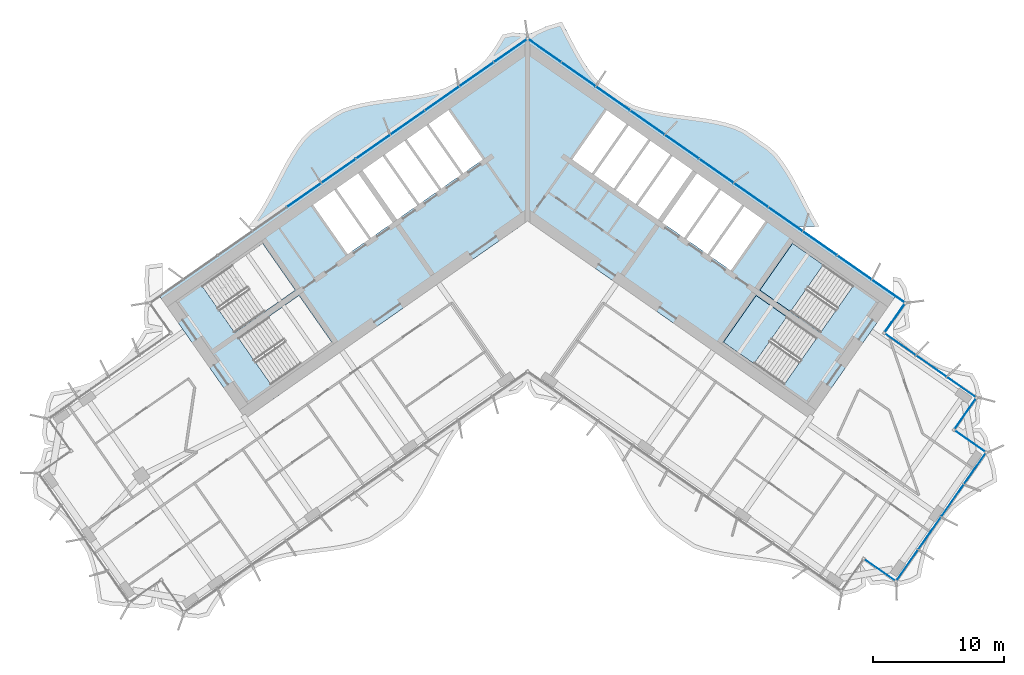
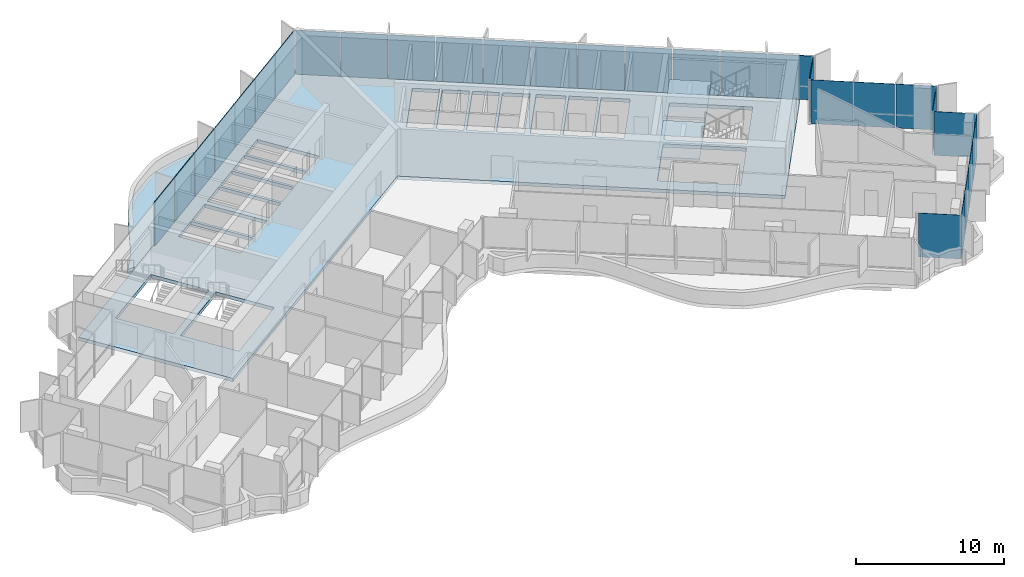
# One storey, part 13 of 23: 29 plates, 4 slabs, 4 elements without a shape of their own.
"""IFC4 building model written with IfcOpenShell, lengths in metres."""

from ifc_helpers import new_model, si_unit, direction, frame, origin, origin_2d, place, context, subcontext, project, spatial, polyline, rectangle, outline, extrude, material, layer, layer_set, type_object, element, aggregate, save


model = new_model("IFC4")

# Units and contexts
model_context = context("Model", 3, precision=1e-05, world=origin(), true_north=direction((0.0, 1.0)))
body_context = subcontext(model_context, "Body", "Model", "MODEL_VIEW")
ifc_project = project(units=[si_unit("LENGTHUNIT", "METRE"), si_unit("AREAUNIT", "SQUARE_METRE"), si_unit("VOLUMEUNIT", "CUBIC_METRE"), si_unit("PLANEANGLEUNIT", "RADIAN"), si_unit("MASSUNIT", "GRAM", prefix="KILO")], contexts=[model_context])

# Site, building, storey
site_placement = place(None, origin())
site = spatial("IfcSite", under=ifc_project, at=site_placement, CompositionType="ELEMENT")
building_placement = place(site_placement, origin())
building = spatial("IfcBuilding", under=site, at=building_placement, Name="Tel Ilan Convention Tower", CompositionType="ELEMENT")
storey_placement = place(building_placement, frame((0.0, 0.0, 194.39990234375)))
storey = spatial("IfcBuildingStorey", under=building, at=storey_placement, Name="L45", CompositionType="ELEMENT", Elevation=194.39990234375)

# Curtain wall, plates
ifc_material_1 = material(Name="Aluminium, bronze anodised", Category="aluminium")
curtain_wall_type_1 = type_object("IfcCurtainWallType", Name="CW4 STICK CURTAIN WALL, OFFICE TINTED GLASS", PredefinedType="NOTDEFINED", material=ifc_material_1)
curtain_wall_1_placement = place(storey_placement, origin())
curtain_wall_1 = element("IfcCurtainWall", 1, at=curtain_wall_1_placement, inside=storey, type_object=curtain_wall_type_1, Name="Curtain wall CW4-35.02", PredefinedType="NOTDEFINED")
ifc_material_2 = material(Name="Glass, bronze tinted, two-ply", Category="glass")
ifc_layer_1 = layer(ifc_material_2, 0.028076171875)
ifc_layer_set_1 = layer_set([ifc_layer_1], Name="CW GLASS PANEL 28")
plate_type_1 = type_object("IfcPlateType", Name="CW GLASS PANEL 28", PredefinedType="CURTAIN_PANEL", material=ifc_layer_set_1)
plate_1_placement = place(storey_placement, frame((26.914794921875, -27.879638671875, 0.0), z_axis=(0.0, 0.0, 1.0), x_axis=(0.819152044289, -0.573576436351, 0.0)))
plate_1 = element("IfcPlate", 2, at=plate_1_placement, type_object=plate_type_1, Name="Glass panel", PredefinedType="CURTAIN_PANEL", context=body_context, shape_type="SweptSolid", body=[
    extrude(rectangle(XDim=2.875, YDim=0.028076171875, at=origin_2d()), origin(), (0.0, 0.0, 1.0), 3.6201171875),
])
plate_2_placement = place(storey_placement, frame((28.956298828125, -27.51220703125, 0.0), z_axis=(0.0, 0.0, 1.0), x_axis=(0.573576436351, 0.819152044289, 0.0)))
plate_2 = element("IfcPlate", 3, at=plate_2_placement, type_object=plate_type_1, Name="Glass panel", PredefinedType="CURTAIN_PANEL", context=body_context, shape_type="SweptSolid", body=[
    extrude(rectangle(XDim=2.89599609375, YDim=0.028076171875, at=origin_2d()), origin(), (0.0, 0.0, 1.0), 3.6201171875),
])
plate_3_placement = place(storey_placement, frame((30.6787109375, -25.05224609375, 0.0), z_axis=(0.0, 0.0, 1.0), x_axis=(0.573576436351, 0.819152044289, 0.0)))
plate_3 = element("IfcPlate", 4, at=plate_3_placement, type_object=plate_type_1, Name="Glass panel", PredefinedType="CURTAIN_PANEL", context=body_context, shape_type="SweptSolid", body=[
    extrude(rectangle(XDim=2.989990234375, YDim=0.028076171875, at=origin_2d()), origin(), (0.0, 0.0, 1.0), 3.6201171875),
])
plate_4_placement = place(storey_placement, frame((32.42822265625, -22.553955078125, 0.0), z_axis=(0.0, 0.0, 1.0), x_axis=(0.573576436351, 0.819152044289, 0.0)))
plate_4 = element("IfcPlate", 5, at=plate_4_placement, type_object=plate_type_1, Name="Glass panel", PredefinedType="CURTAIN_PANEL", context=body_context, shape_type="SweptSolid", body=[
    extrude(rectangle(XDim=2.989990234375, YDim=0.028076171875, at=origin_2d()), origin(), (0.0, 0.0, 1.0), 3.6201171875),
])
plate_5_placement = place(storey_placement, frame((34.150634765625, -20.093994140625, 0.0), z_axis=(0.0, 0.0, 1.0), x_axis=(0.573576436351, 0.819152044289, 0.0)))
plate_5 = element("IfcPlate", 6, at=plate_5_placement, type_object=plate_type_1, Name="Glass panel", PredefinedType="CURTAIN_PANEL", context=body_context, shape_type="SweptSolid", body=[
    extrude(rectangle(XDim=2.89599609375, YDim=0.028076171875, at=origin_2d()), origin(), (0.0, 0.0, 1.0), 3.6201171875),
])
plate_6_placement = place(storey_placement, frame((33.7978515625, -18.0498046875, 0.0), z_axis=(0.0, 0.0, 1.0), x_axis=(-0.819152044289, 0.573576436351, 0.0)))
plate_6 = element("IfcPlate", 7, at=plate_6_placement, type_object=plate_type_1, Name="Glass panel", PredefinedType="CURTAIN_PANEL", context=body_context, shape_type="SweptSolid", body=[
    extrude(rectangle(XDim=2.875, YDim=0.028076171875, at=origin_2d()), origin(), (0.0, 0.0, 1.0), 3.6201171875),
])
plate_7_placement = place(storey_placement, frame((33.419921875, -15.9072265625, 0.0), z_axis=(0.0, 0.0, 1.0), x_axis=(0.573576436351, 0.819152044289, 0.0)))
plate_7 = element("IfcPlate", 8, at=plate_7_placement, type_object=plate_type_1, Name="Glass panel", PredefinedType="CURTAIN_PANEL", context=body_context, shape_type="SweptSolid", body=[
    extrude(rectangle(XDim=2.875, YDim=0.028076171875, at=origin_2d()), origin(), (0.0, 0.0, 1.0), 3.6201171875),
])
plate_8_placement = place(storey_placement, frame((33.12744140625, -13.918212890625, 0.0), z_axis=(0.0, 0.0, 1.0), x_axis=(-0.819152044289, 0.573576436351, 0.0)))
plate_8 = element("IfcPlate", 9, at=plate_8_placement, type_object=plate_type_1, Name="Glass panel", PredefinedType="CURTAIN_PANEL", context=body_context, shape_type="SweptSolid", body=[
    extrude(rectangle(XDim=2.712646484375, YDim=0.028076171875, at=origin_2d()), origin(), (0.0, 0.0, 1.0), 3.6201171875),
])
plate_9_placement = place(storey_placement, frame((30.81787109375, -12.301025390625, 0.0), z_axis=(0.0, 0.0, 1.0), x_axis=(-0.819152044289, 0.573576436351, 0.0)))
plate_9 = element("IfcPlate", 10, at=plate_9_placement, type_object=plate_type_1, Name="Glass panel", PredefinedType="CURTAIN_PANEL", context=body_context, shape_type="SweptSolid", body=[
    extrude(rectangle(XDim=2.806640625, YDim=0.028076171875, at=origin_2d()), origin(), (0.0, 0.0, 1.0), 3.6201171875),
])
plate_10_placement = place(storey_placement, frame((28.457763671875, -10.6484375, 0.0), z_axis=(0.0, 0.0, 1.0), x_axis=(-0.819152044289, 0.573576436351, 0.0)))
plate_10 = element("IfcPlate", 11, at=plate_10_placement, type_object=plate_type_1, Name="Glass panel", PredefinedType="CURTAIN_PANEL", context=body_context, shape_type="SweptSolid", body=[
    extrude(rectangle(XDim=2.835693359375, YDim=0.028076171875, at=origin_2d()), origin(), (0.0, 0.0, 1.0), 3.6201171875),
])
aggregate(curtain_wall_1, [plate_1, plate_2, plate_3, plate_4, plate_5, plate_6, plate_7, plate_8, plate_9, plate_10])

ifc_material_3 = material(Name="Aluminium, bronze anodised", Category="aluminium")
curtain_wall_type_2 = type_object("IfcCurtainWallType", Name="CW2 STICK CURTAIN WALL, SPANDREL PANELS", PredefinedType="NOTDEFINED", material=ifc_material_3)
curtain_wall_2_placement = place(storey_placement, origin())
curtain_wall_2 = element("IfcCurtainWall", 12, at=curtain_wall_2_placement, inside=storey, type_object=curtain_wall_type_2, Name="Curtain wall CW2-35.01", PredefinedType="NOTDEFINED")
ifc_material_4 = material(Name="Aluminium composite panel, bronze anodised", Category="aluminium")
ifc_layer_2 = layer(ifc_material_4, 0.06005859375)
ifc_layer_set_2 = layer_set([ifc_layer_2], Name="CW SPANDREL PANEL 60")
plate_type_2 = type_object("IfcPlateType", Name="CW SPANDREL PANEL 60", PredefinedType="CURTAIN_PANEL", material=ifc_layer_set_2)
plate_11_placement = place(storey_placement, frame((28.033935546875, -8.60546875, 0.0), z_axis=(0.0, 0.0, 1.0), x_axis=(0.573576436351, 0.819152044289, 0.0)))
plate_11 = element("IfcPlate", 13, at=plate_11_placement, type_object=plate_type_2, Name="Spandrel panel", PredefinedType="CURTAIN_PANEL", context=body_context, shape_type="SweptSolid", body=[
    extrude(rectangle(XDim=2.658935546875, YDim=0.06005859375, at=origin_2d()), origin(), (0.0, 0.0, 1.0), 3.6201171875),
])
plate_12_placement = place(storey_placement, frame((27.5400390625, -6.587646484375, 0.0), z_axis=(0.0, 0.0, 1.0), x_axis=(-0.819152044289, 0.573576436351, 0.0)))
plate_12 = element("IfcPlate", 14, at=plate_12_placement, type_object=plate_type_2, Name="Spandrel panel", PredefinedType="CURTAIN_PANEL", context=body_context, shape_type="SweptSolid", body=[
    extrude(rectangle(XDim=3.0439453125, YDim=0.06005859375, at=origin_2d()), origin(), (0.0, 0.0, 1.0), 3.6201171875),
])
plate_13_placement = place(storey_placement, frame((24.95263671875, -4.77587890625, 0.0), z_axis=(0.0, 0.0, 1.0), x_axis=(-0.819152044289, 0.573576436351, 0.0)))
plate_13 = element("IfcPlate", 15, at=plate_13_placement, type_object=plate_type_2, Name="Spandrel panel", PredefinedType="CURTAIN_PANEL", context=body_context, shape_type="SweptSolid", body=[
    extrude(rectangle(XDim=3.15380859375, YDim=0.06005859375, at=origin_2d()), origin(), (0.0, 0.0, 1.0), 3.6201171875),
])
plate_14_placement = place(storey_placement, frame((22.31982421875, -2.9326171875, 0.0), z_axis=(0.0, 0.0, 1.0), x_axis=(-0.819152044289, 0.573576436351, 0.0)))
plate_14 = element("IfcPlate", 16, at=plate_14_placement, type_object=plate_type_2, Name="Spandrel panel", PredefinedType="CURTAIN_PANEL", context=body_context, shape_type="SweptSolid", body=[
    extrude(rectangle(XDim=3.15380859375, YDim=0.06005859375, at=origin_2d()), origin(), (0.0, 0.0, 1.0), 3.6201171875),
])
plate_15_placement = place(storey_placement, frame((19.687255859375, -1.089111328125, 0.0), z_axis=(0.0, 0.0, 1.0), x_axis=(-0.819152044289, 0.573576436351, 0.0)))
plate_15 = element("IfcPlate", 17, at=plate_15_placement, type_object=plate_type_2, Name="Spandrel panel", PredefinedType="CURTAIN_PANEL", context=body_context, shape_type="SweptSolid", body=[
    extrude(rectangle(XDim=3.15380859375, YDim=0.06005859375, at=origin_2d()), origin(), (0.0, 0.0, 1.0), 3.6201171875),
])
plate_16_placement = place(storey_placement, frame((17.0546875, 0.754150390625, 0.0), z_axis=(0.0, 0.0, 1.0), x_axis=(-0.819152044289, 0.573576436351, 0.0)))
plate_16 = element("IfcPlate", 18, at=plate_16_placement, type_object=plate_type_2, Name="Spandrel panel", PredefinedType="CURTAIN_PANEL", context=body_context, shape_type="SweptSolid", body=[
    extrude(rectangle(XDim=3.15380859375, YDim=0.06005859375, at=origin_2d()), origin(), (0.0, 0.0, 1.0), 3.6201171875),
])
plate_17_placement = place(storey_placement, frame((14.422119140625, 2.59765625, 0.0), z_axis=(0.0, 0.0, 1.0), x_axis=(-0.819152044289, 0.573576436351, 0.0)))
plate_17 = element("IfcPlate", 19, at=plate_17_placement, type_object=plate_type_2, Name="Spandrel panel", PredefinedType="CURTAIN_PANEL", context=body_context, shape_type="SweptSolid", body=[
    extrude(rectangle(XDim=3.15380859375, YDim=0.06005859375, at=origin_2d()), origin(), (0.0, 0.0, 1.0), 3.6201171875),
])
plate_18_placement = place(storey_placement, frame((11.789306640625, 4.44091796875, 0.0), z_axis=(0.0, 0.0, 1.0), x_axis=(-0.819152044289, 0.573576436351, 0.0)))
plate_18 = element("IfcPlate", 20, at=plate_18_placement, type_object=plate_type_2, Name="Spandrel panel", PredefinedType="CURTAIN_PANEL", context=body_context, shape_type="SweptSolid", body=[
    extrude(rectangle(XDim=3.15380859375, YDim=0.06005859375, at=origin_2d()), origin(), (0.0, 0.0, 1.0), 3.6201171875),
])
plate_19_placement = place(storey_placement, frame((9.15673828125, 6.284423828125, 0.0), z_axis=(0.0, 0.0, 1.0), x_axis=(-0.819152044289, 0.573576436351, 0.0)))
plate_19 = element("IfcPlate", 21, at=plate_19_placement, type_object=plate_type_2, Name="Spandrel panel", PredefinedType="CURTAIN_PANEL", context=body_context, shape_type="SweptSolid", body=[
    extrude(rectangle(XDim=3.15380859375, YDim=0.06005859375, at=origin_2d()), origin(), (0.0, 0.0, 1.0), 3.6201171875),
])
plate_20_placement = place(storey_placement, frame((6.524169921875, 8.127685546875, 0.0), z_axis=(0.0, 0.0, 1.0), x_axis=(-0.819152044289, 0.573576436351, 0.0)))
plate_20 = element("IfcPlate", 22, at=plate_20_placement, type_object=plate_type_2, Name="Spandrel panel", PredefinedType="CURTAIN_PANEL", context=body_context, shape_type="SweptSolid", body=[
    extrude(rectangle(XDim=3.15380859375, YDim=0.06005859375, at=origin_2d()), origin(), (0.0, 0.0, 1.0), 3.6201171875),
])
plate_21_placement = place(storey_placement, frame((3.8916015625, 9.97119140625, 0.0), z_axis=(0.0, 0.0, 1.0), x_axis=(-0.819152044289, 0.573576436351, 0.0)))
plate_21 = element("IfcPlate", 23, at=plate_21_placement, type_object=plate_type_2, Name="Spandrel panel", PredefinedType="CURTAIN_PANEL", context=body_context, shape_type="SweptSolid", body=[
    extrude(rectangle(XDim=3.15380859375, YDim=0.06005859375, at=origin_2d()), origin(), (0.0, 0.0, 1.0), 3.6201171875),
])
plate_22_placement = place(storey_placement, frame((1.303955078125, 11.782958984375, 0.0), z_axis=(0.0, 0.0, 1.0), x_axis=(-0.819152044289, 0.573576436351, 0.0)))
plate_22 = element("IfcPlate", 24, at=plate_22_placement, type_object=plate_type_2, Name="Spandrel panel", PredefinedType="CURTAIN_PANEL", context=body_context, shape_type="SweptSolid", body=[
    extrude(rectangle(XDim=3.0439453125, YDim=0.06005859375, at=origin_2d()), origin(), (0.0, 0.0, 1.0), 3.6201171875),
])
plate_23_placement = place(storey_placement, frame((-1.303955078125, 11.782958984375, 0.0), z_axis=(0.0, 0.0, 1.0), x_axis=(-0.819152044289, -0.573576436351, 0.0)))
plate_23 = element("IfcPlate", 25, at=plate_23_placement, type_object=plate_type_2, Name="Spandrel panel", PredefinedType="CURTAIN_PANEL", context=body_context, shape_type="SweptSolid", body=[
    extrude(rectangle(XDim=3.0439453125, YDim=0.06005859375, at=origin_2d()), origin(), (0.0, 0.0, 1.0), 3.6201171875),
])
plate_24_placement = place(storey_placement, frame((-3.8916015625, 9.97119140625, 0.0), z_axis=(0.0, 0.0, 1.0), x_axis=(-0.819152044289, -0.573576436351, 0.0)))
plate_24 = element("IfcPlate", 26, at=plate_24_placement, type_object=plate_type_2, Name="Spandrel panel", PredefinedType="CURTAIN_PANEL", context=body_context, shape_type="SweptSolid", body=[
    extrude(rectangle(XDim=3.15380859375, YDim=0.06005859375, at=origin_2d()), origin(), (0.0, 0.0, 1.0), 3.6201171875),
])
plate_25_placement = place(storey_placement, frame((-6.524169921875, 8.127685546875, 0.0), z_axis=(0.0, 0.0, 1.0), x_axis=(-0.819152044289, -0.573576436351, 0.0)))
plate_25 = element("IfcPlate", 27, at=plate_25_placement, type_object=plate_type_2, Name="Spandrel panel", PredefinedType="CURTAIN_PANEL", context=body_context, shape_type="SweptSolid", body=[
    extrude(rectangle(XDim=3.15380859375, YDim=0.06005859375, at=origin_2d()), origin(), (0.0, 0.0, 1.0), 3.6201171875),
])
plate_26_placement = place(storey_placement, frame((-9.15673828125, 6.284423828125, 0.0), z_axis=(0.0, 0.0, 1.0), x_axis=(-0.819152044289, -0.573576436351, 0.0)))
plate_26 = element("IfcPlate", 28, at=plate_26_placement, type_object=plate_type_2, Name="Spandrel panel", PredefinedType="CURTAIN_PANEL", context=body_context, shape_type="SweptSolid", body=[
    extrude(rectangle(XDim=3.15380859375, YDim=0.06005859375, at=origin_2d()), origin(), (0.0, 0.0, 1.0), 3.6201171875),
])
plate_27_placement = place(storey_placement, frame((-11.789306640625, 4.44091796875, 0.0), z_axis=(0.0, 0.0, 1.0), x_axis=(-0.819152044289, -0.573576436351, 0.0)))
plate_27 = element("IfcPlate", 29, at=plate_27_placement, type_object=plate_type_2, Name="Spandrel panel", PredefinedType="CURTAIN_PANEL", context=body_context, shape_type="SweptSolid", body=[
    extrude(rectangle(XDim=3.15380859375, YDim=0.06005859375, at=origin_2d()), origin(), (0.0, 0.0, 1.0), 3.6201171875),
])
plate_28_placement = place(storey_placement, frame((-14.422119140625, 2.59765625, 0.0), z_axis=(0.0, 0.0, 1.0), x_axis=(-0.819152044289, -0.573576436351, 0.0)))
plate_28 = element("IfcPlate", 30, at=plate_28_placement, type_object=plate_type_2, Name="Spandrel panel", PredefinedType="CURTAIN_PANEL", context=body_context, shape_type="SweptSolid", body=[
    extrude(rectangle(XDim=3.15380859375, YDim=0.06005859375, at=origin_2d()), origin(), (0.0, 0.0, 1.0), 3.6201171875),
])
plate_29_placement = place(storey_placement, frame((-17.0546875, 0.754150390625, 0.0), z_axis=(0.0, 0.0, 1.0), x_axis=(-0.819152044289, -0.573576436351, 0.0)))
plate_29 = element("IfcPlate", 31, at=plate_29_placement, type_object=plate_type_2, Name="Spandrel panel", PredefinedType="CURTAIN_PANEL", context=body_context, shape_type="SweptSolid", body=[
    extrude(rectangle(XDim=3.15380859375, YDim=0.06005859375, at=origin_2d()), origin(), (0.0, 0.0, 1.0), 3.6201171875),
])
aggregate(curtain_wall_2, [plate_11, plate_12, plate_13, plate_14, plate_15, plate_16, plate_17, plate_18, plate_19, plate_20, plate_21, plate_22, plate_23, plate_24, plate_25, plate_26, plate_27, plate_28, plate_29])

# Stair, slab
ifc_material_5 = material(Name="Concrete C40/50", Category="concrete")
stair_type = type_object("IfcStairType", Name="Pressurised Exit Stair 22 risers 177 mm", PredefinedType="HALF_TURN_STAIR", material=ifc_material_5)
stair_1_placement = place(storey_placement, origin())
stair_1 = element("IfcStair", 32, at=stair_1_placement, inside=storey, type_object=stair_type, Name="L45 Pressurised Stair S3", PredefinedType="HALF_TURN_STAIR")
ifc_material_6 = material(Name="Concrete C40/50", Category="concrete")
ifc_layer_3 = layer(ifc_material_6, 0.199951171875)
ifc_layer_set_3 = layer_set([ifc_layer_3], Name="Concrete Stair Landing 200 mm C40/50")
slab_type_1 = type_object("IfcSlabType", Name="Concrete Stair Landing 200 mm", PredefinedType="LANDING", material=ifc_layer_set_3)
slab_1_placement = place(storey_placement, frame((0.0, 0.0, 1.75)))
slab_1 = element("IfcSlab", 33, at=slab_1_placement, type_object=slab_type_1, Name="S3 landing 1", PredefinedType="LANDING", context=body_context, shape_type="SweptSolid", body=[
    extrude(outline(polyline([(22.561767578125, -4.566650390625), (20.226318359375, -2.931640625), (17.7314453125, -6.494873046875), (20.066650390625, -8.130126953125), (22.561767578125, -4.566650390625)])), origin(), (0.0, 0.0, 1.0), 0.2001953125),
])
aggregate(stair_1, [slab_1])

stair_2_placement = place(storey_placement, origin())
stair_2 = element("IfcStair", 34, at=stair_2_placement, inside=storey, type_object=stair_type, Name="L45 Pressurised Stair S4", PredefinedType="HALF_TURN_STAIR")
slab_2_placement = place(storey_placement, frame((0.0, 0.0, 1.75)))
slab_2 = element("IfcSlab", 35, at=slab_2_placement, type_object=slab_type_1, Name="S4 landing 1", PredefinedType="LANDING", context=body_context, shape_type="SweptSolid", body=[
    extrude(outline(polyline([(19.77978515625, -8.53955078125), (17.444580078125, -6.904541015625), (14.949462890625, -10.4677734375), (17.28466796875, -12.10302734375), (19.77978515625, -8.53955078125)])), origin(), (0.0, 0.0, 1.0), 0.2001953125),
])
aggregate(stair_2, [slab_2])

# Slabs
ifc_material_7 = material(Name="Concrete C40/50", Category="concrete")
ifc_layer_4 = layer(ifc_material_7, 0.280029296875)
ifc_layer_set_4 = layer_set([ifc_layer_4], Name="Core Floor Slab 280 mm C40/50")
slab_type_2 = type_object("IfcSlabType", Name="Core Floor Slab 280 mm C40/50", PredefinedType="FLOOR", material=ifc_layer_set_4)
slab_3_placement = place(storey_placement, frame((0.0, 0.0, -0.27978515625)))
element("IfcSlab", 36, at=slab_3_placement, inside=storey, type_object=slab_type_2, Name="L45 core floor 1", PredefinedType="FLOOR", context=body_context, shape_type="SweptSolid", body=[
    extrude(outline(polyline([(0.0, 12.818115234375), (28.1396484375, -6.885498046875), (21.54345703125, -16.3056640625), (0.0, -1.220703125), (-21.54345703125, -16.3056640625), (-28.1396484375, -6.885498046875), (-13.013916015625, 3.705810546875), (-6.48876953125, 8.274658203125), (-4.6650390625, 9.5517578125), (-0.2412109375, 12.6494140625), (0.0, 12.818115234375)]), holes=[polyline([(-14.949462890625, -10.4677734375), (-17.444580078125, -6.904541015625), (-22.072021484375, -10.144775390625), (-19.5771484375, -13.7080078125), (-14.949462890625, -10.4677734375)]), polyline([(-17.7314453125, -6.494873046875), (-20.226318359375, -2.931640625), (-24.85400390625, -6.171875), (-22.35888671875, -9.735107421875), (-17.7314453125, -6.494873046875)]), polyline([(-14.75048828125, 1.14697265625), (-16.368408203125, 0.01416015625), (-13.729736328125, -3.75390625), (-12.112060546875, -2.62109375), (-14.75048828125, 1.14697265625)]), polyline([(-12.927734375, 2.423095703125), (-14.586669921875, 1.26171875), (-11.947998046875, -2.506591796875), (-10.289306640625, -1.344970703125), (-12.927734375, 2.423095703125)]), polyline([(-11.053955078125, 3.735107421875), (-12.60009765625, 2.652587890625), (-9.961669921875, -1.115478515625), (-8.41552734375, -0.032958984375), (-11.053955078125, 3.735107421875)]), polyline([(-9.385009765625, 4.90380859375), (-10.89013671875, 3.849853515625), (-8.251708984375, 0.081787109375), (-6.74658203125, 1.1357421875), (-9.385009765625, 4.90380859375)]), polyline([(-7.716064453125, 6.072509765625), (-9.22119140625, 5.0185546875), (-6.582763671875, 1.25048828125), (-5.077392578125, 2.304443359375), (-7.716064453125, 6.072509765625)]), polyline([(-6.046875, 7.2412109375), (-7.552001953125, 6.187255859375), (-4.913818359375, 2.419189453125), (-3.408447265625, 3.47314453125), (-6.046875, 7.2412109375)]), polyline([(4.913818359375, 2.419189453125), (7.552001953125, 6.187255859375), (6.046875, 7.2412109375), (3.408447265625, 3.47314453125), (4.913818359375, 2.419189453125)]), polyline([(17.444580078125, -6.904541015625), (14.949462890625, -10.4677734375), (19.5771484375, -13.7080078125), (22.072021484375, -10.144775390625), (17.444580078125, -6.904541015625)]), polyline([(20.226318359375, -2.931640625), (17.7314453125, -6.494873046875), (22.35888671875, -9.735107421875), (24.85400390625, -6.171875), (20.226318359375, -2.931640625)]), polyline([(15.511474609375, -5.00146484375), (18.14990234375, -1.2333984375), (16.531982421875, -0.1005859375), (13.8935546875, -3.86865234375), (15.511474609375, -5.00146484375)]), polyline([(13.729736328125, -3.75390625), (16.368408203125, 0.01416015625), (14.75048828125, 1.14697265625), (12.112060546875, -2.62109375), (13.729736328125, -3.75390625)]), polyline([(11.947998046875, -2.506591796875), (14.586669921875, 1.26171875), (12.927734375, 2.423095703125), (10.289306640625, -1.344970703125), (11.947998046875, -2.506591796875)]), polyline([(9.961669921875, -1.115478515625), (12.60009765625, 2.652587890625), (11.053955078125, 3.735107421875), (8.41552734375, -0.032958984375), (9.961669921875, -1.115478515625)]), polyline([(6.74658203125, 1.1357421875), (8.251708984375, 0.081787109375), (10.89013671875, 3.849853515625), (9.385009765625, 4.90380859375), (6.74658203125, 1.1357421875)]), polyline([(5.077392578125, 2.304443359375), (6.582763671875, 1.25048828125), (9.22119140625, 5.0185546875), (7.716064453125, 6.072509765625), (5.077392578125, 2.304443359375)])]), origin(), (0.0, 0.0, 1.0), 0.27978515625),
])
ifc_material_8 = material(Name="Concrete C40/50", Category="concrete")
ifc_layer_5 = layer(ifc_material_8, 0.280029296875)
ifc_layer_set_5 = layer_set([ifc_layer_5], Name="Edge Ledge Slab 280 mm C40/50")
slab_type_3 = type_object("IfcSlabType", Name="Edge Ledge Slab 280 mm C40/50", PredefinedType="FLOOR", material=ifc_layer_set_5)
slab_4_placement = place(storey_placement, frame((0.0, 0.0, -0.27978515625)))
element("IfcSlab", 37, at=slab_4_placement, inside=storey, type_object=slab_type_3, Name="L45 edge ledge 2", PredefinedType="FLOOR", context=body_context, shape_type="SweptSolid", body=[
    extrude(outline(polyline([(-19.60009765625, 1.004150390625), (-19.217529296875, 1.741943359375), (-18.83642578125, 2.481689453125), (-18.44677734375, 3.209228515625), (-18.0390625, 3.910888671875), (-17.604736328125, 4.574951171875), (-17.13671875, 5.190185546875), (-16.6015625, 5.71044921875), (-14.791748046875, 6.977783203125), (-14.1416015625, 7.33349609375), (-13.41064453125, 7.573486328125), (-12.644287109375, 7.76318359375), (-11.849853515625, 7.91259765625), (-11.03564453125, 8.033935546875), (-10.211181640625, 8.140380859375), (-9.385986328125, 8.24609375), (-8.570068359375, 8.36474609375), (-7.7724609375, 8.509765625), (-7.002197265625, 8.693603515625), (-6.26611328125, 8.926513671875), (-5.601806640625, 9.261962890625), (-3.7919921875, 10.529296875), (-3.2421875, 11.0283203125), (-2.769287109375, 11.63671875), (-2.3310546875, 12.294921875), (-1.919921875, 12.991943359375), (-1.14208984375, 13.1650390625), (-0.172119140625, 13.06396484375), (-0.168701171875, 13.05908203125), (-0.11474609375, 13.09521484375), (0.0, 13.1181640625), (0.11474609375, 13.09521484375), (0.168701171875, 13.05908203125), (0.172119140625, 13.06396484375), (1.4794921875, 13.647216796875), (2.6162109375, 13.986328125), (3.000244140625, 13.250732421875), (3.38134765625, 12.510986328125), (3.770263671875, 11.7822265625), (4.176513671875, 11.078369140625), (4.608642578125, 10.41162109375), (5.074462890625, 9.792724609375), (5.601806640625, 9.261962890625), (7.411865234375, 7.99462890625), (8.054931640625, 7.62890625), (8.783447265625, 7.385498046875), (9.547607421875, 7.19287109375), (10.340576171875, 7.041015625), (11.15380859375, 6.91845703125), (11.977783203125, 6.811279296875), (12.80322265625, 6.7060546875), (13.6201171875, 6.588623046875), (14.419189453125, 6.44580078125), (15.191650390625, 6.2646484375), (15.929931640625, 6.03515625), (16.6015625, 5.71044921875), (18.41162109375, 4.443115234375), (18.96826171875, 3.9541015625), (19.44384765625, 3.34912109375), (19.884033203125, 2.69384765625), (20.296142578125, 1.998291015625), (20.688720703125, 1.27490234375), (21.07080078125, 0.53662109375), (21.4521484375, -0.202880859375), (21.8427734375, -0.928955078125), (22.25341796875, -1.631591796875), (20.63623046875, -1.631591796875), (0.0, 12.818115234375), (-0.2412109375, 12.6494140625), (-12.932373046875, 3.7626953125), (-20.63623046875, -1.631591796875), (-21.30126953125, -1.631591796875), (-20.849609375, -1.0634765625), (-20.4072265625, -0.4111328125), (-19.993408203125, 0.281982421875), (-19.60009765625, 1.004150390625)])), origin(), (0.0, 0.0, 1.0), 0.27978515625),
])

save(model, "model.ifc")
